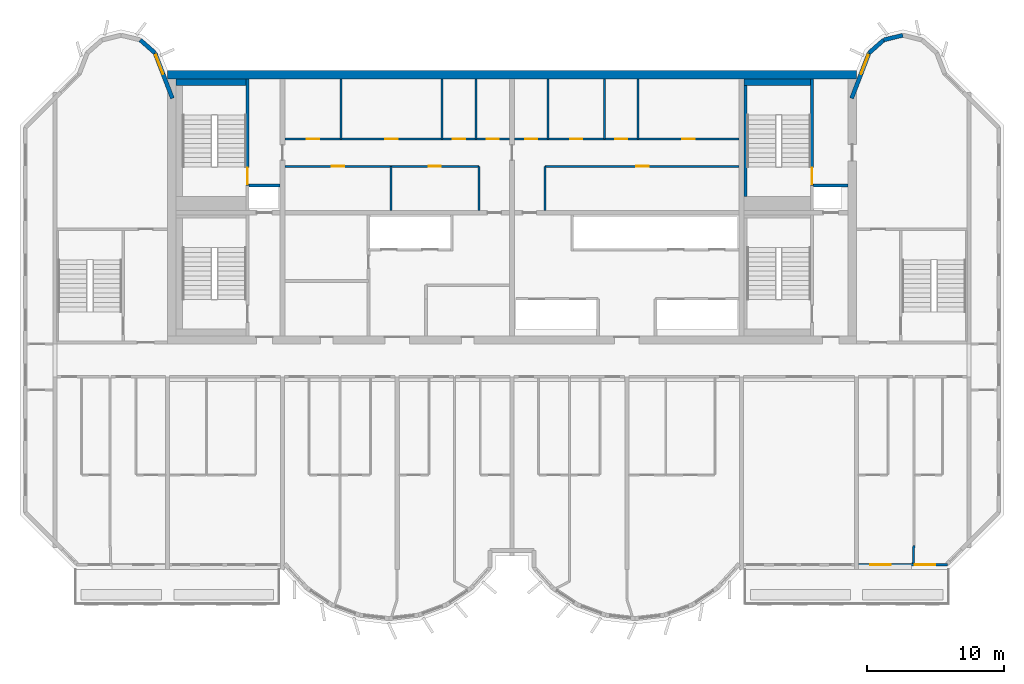
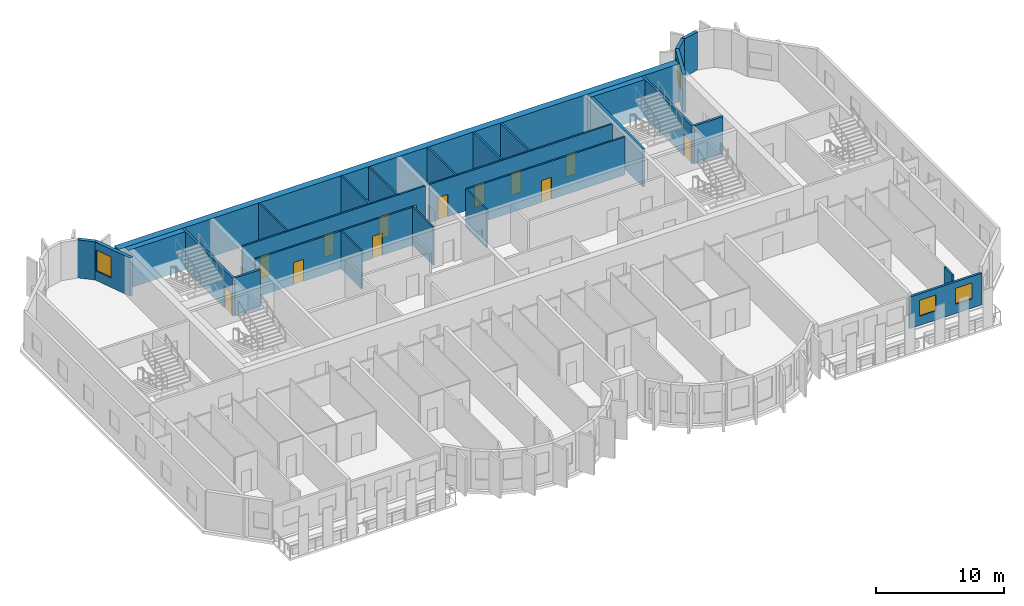
# One storey, part 7 of 11: 28 walls, 13 doors, 4 windows, 17 openings.
"""IFC4 building model written with IfcOpenShell, lengths in metres."""

from ifc_helpers import new_model, si_unit, direction, frame, frame_2d, origin, place, context, subcontext, project, spatial, rectangle, extrude, source, transform, mapped, material, layer, layer_set, type_object, element, fill, save


model = new_model("IFC4")

# Units and contexts
model_context = context("Model", 3, precision=1e-05, world=origin(), true_north=direction((0.0, 1.0)))
body_context = subcontext(model_context, "Body", "Model", "MODEL_VIEW")
ifc_project = project(units=[si_unit("LENGTHUNIT", "METRE"), si_unit("AREAUNIT", "SQUARE_METRE"), si_unit("VOLUMEUNIT", "CUBIC_METRE"), si_unit("PLANEANGLEUNIT", "RADIAN"), si_unit("MASSUNIT", "GRAM", prefix="KILO")], contexts=[model_context])

# Site, building, storey
site_placement = place(None, origin())
site = spatial("IfcSite", under=ifc_project, at=site_placement, CompositionType="ELEMENT")
building_placement = place(site_placement, origin())
building = spatial("IfcBuilding", under=site, at=building_placement, Name="Vanashikhar Sky Hotel", CompositionType="ELEMENT")
storey_placement = place(building_placement, frame((0.0, 0.0, 229.60009765625)))
storey = spatial("IfcBuildingStorey", under=building, at=storey_placement, Name="L55", CompositionType="ELEMENT", Elevation=229.60009765625)

# Wall
ifc_material_1 = material(Name="Concrete M60", Category="concrete")
ifc_layer_1 = layer(ifc_material_1, 0.60009765625)
ifc_layer_set_1 = layer_set([ifc_layer_1], Name="RC core shell wall 600 Concrete M60")
wall_type_1 = type_object("IfcWallType", Name="RC core shell wall 600 Concrete M60", PredefinedType="SHEAR", material=ifc_layer_set_1)
shared_shape_1 = source(origin(), body_context, "Body", "SweptSolid", [
    extrude(rectangle(XDim=50.400146484375, YDim=0.60009765625, at=frame_2d((25.2001953125, 0.0))), origin(), (0.0, 0.0, 1.0), 3.619873046875),
])
wall_1_placement = place(storey_placement, frame((25.199951171875, 41.699951171875, 0.0), z_axis=(0.0, 0.0, 1.0), x_axis=(1.0, 0.0, 0.0)))
element("IfcWall", 1, at=wall_1_placement, inside=storey, type_object=wall_type_1, Name="KW-L55-KN", PredefinedType="SHEAR", context=body_context, shape_type="MappedRepresentation", body=[
    mapped(shared_shape_1, transform((0.0, 0.0, 0.0), scale=1.0)),
])

# Wall, openings, windows
ifc_material_2 = material(Name="Concrete M50", Category="concrete")
ifc_layer_2 = layer(ifc_material_2, 0.199951171875)
ifc_layer_set_2 = layer_set([ifc_layer_2], Name="Front window wall 200")
wall_type_2 = type_object("IfcWallType", Name="Front window wall 200", PredefinedType="SOLIDWALL", material=ifc_layer_set_2)
shared_shape_2 = source(origin(), body_context, "Body", "SweptSolid", [
    extrude(rectangle(XDim=6.5048828125, YDim=0.199951171875, at=frame_2d((3.25244140625, 0.0))), origin(), (0.0, 0.0, 1.0), 3.02001953125),
])
wall_2_placement = place(storey_placement, frame((75.75, 5.85009765625, 0.0), z_axis=(0.0, 0.0, 1.0), x_axis=(1.0, 0.0, 0.0)))
wall_2 = element("IfcWall", 2, at=wall_2_placement, inside=storey, type_object=wall_type_2, Name="Front window wall", PredefinedType="SOLIDWALL", context=body_context, shape_type="MappedRepresentation", body=[
    mapped(shared_shape_2, transform((0.0, 0.0, 0.0), scale=1.0)),
])
shared_shape_3 = source(origin(), body_context, "Body", "SweptSolid", [
    extrude(rectangle(XDim=1.5, YDim=1.5, at=frame_2d((0.75, 0.75))), frame((0.0, 0.10986328125, 0.0), z_axis=(0.0, -1.0, 0.0), x_axis=(1.0, 0.0, 0.0)), (0.0, 0.0, 1.0), 0.219970703125),
])
opening_1_placement = place(wall_2_placement, frame((0.876220703125, 0.0, 0.89990234375)))
opening_1 = element("IfcOpeningElement", 3, at=opening_1_placement, cuts=wall_2, Name="Opening WN-1", PredefinedType="OPENING", context=body_context, shape_type="MappedRepresentation", body=[
    mapped(shared_shape_3, transform((0.0, 0.0, 0.0), scale=1.0)),
])
opening_2_placement = place(wall_2_placement, frame((4.128662109375, 0.0, 0.89990234375)))
opening_2 = element("IfcOpeningElement", 4, at=opening_2_placement, cuts=wall_2, Name="Opening WN-1", PredefinedType="OPENING", context=body_context, shape_type="MappedRepresentation", body=[
    mapped(shared_shape_3, transform((0.0, 0.0, 0.0), scale=1.0)),
])
ifc_material_3 = material(Name="Glass", Category="glass")
window_type_1 = type_object("IfcWindowType", Name="Window 1500 x 1500", PartitioningType="SINGLE_PANEL", PredefinedType="WINDOW", material=ifc_material_3)
shared_shape_4 = source(origin(), body_context, "Body", "SweptSolid", [
    extrude(rectangle(XDim=1.5, YDim=1.5, at=frame_2d((0.75, 0.75))), frame((0.0, 0.030029296875, 0.0), z_axis=(0.0, -1.0, 0.0), x_axis=(1.0, 0.0, 0.0)), (0.0, 0.0, 1.0), 0.06005859375),
])
window_1_placement = place(opening_1_placement, origin())
window_1 = element("IfcWindow", 5, at=window_1_placement, inside=storey, type_object=window_type_1, Name="Window WN-1", OverallHeight=1.5, OverallWidth=1.5, PartitioningType="SINGLE_PANEL", PredefinedType="WINDOW", context=body_context, shape_type="MappedRepresentation", body=[
    mapped(shared_shape_4, transform((0.0, 0.0, 0.0), scale=1.0)),
])
fill(opening_1, window_1)
window_2_placement = place(opening_2_placement, origin())
window_2 = element("IfcWindow", 6, at=window_2_placement, inside=storey, type_object=window_type_1, Name="Window WN-1", OverallHeight=1.5, OverallWidth=1.5, PartitioningType="SINGLE_PANEL", PredefinedType="WINDOW", context=body_context, shape_type="MappedRepresentation", body=[
    mapped(shared_shape_4, transform((0.0, 0.0, 0.0), scale=1.0)),
])
fill(opening_2, window_2)

# Wall, opening, window
ifc_layer_3 = layer(ifc_material_2, 0.300048828125)
ifc_layer_set_3 = layer_set([ifc_layer_3], Name="Lobe wall 300")
wall_type_3 = type_object("IfcWallType", Name="Lobe wall 300", PredefinedType="SOLIDWALL", material=ifc_layer_set_3)
shared_shape_5 = source(origin(), body_context, "Body", "SweptSolid", [
    extrude(rectangle(XDim=3.55908203125, YDim=0.300048828125, at=frame_2d((1.779541015625, 0.0))), origin(), (0.0, 0.0, 1.0), 3.619873046875),
])
wall_3_placement = place(storey_placement, frame((76.5234375, 43.2919921875, 0.0), z_axis=(0.0, 0.0, 1.0), x_axis=(-0.35779745313, -0.933799219604, 0.0)))
wall_3 = element("IfcWall", 7, at=wall_3_placement, inside=storey, type_object=wall_type_3, Name="Lobe wall", PredefinedType="SOLIDWALL", context=body_context, shape_type="MappedRepresentation", body=[
    mapped(shared_shape_5, transform((0.0, 0.0, 0.0), scale=1.0)),
])
shared_shape_6 = source(origin(), body_context, "Body", "SweptSolid", [
    extrude(rectangle(XDim=1.5, YDim=2.0, at=frame_2d((0.75, 1.0))), frame((0.0, 0.16015625, 0.0), z_axis=(0.0, -1.0, 0.0), x_axis=(1.0, 0.0, 0.0)), (0.0, 0.0, 1.0), 0.320068359375),
])
opening_3_placement = place(wall_3_placement, frame((0.156005859375, 0.0, 0.89990234375)))
opening_3 = element("IfcOpeningElement", 8, at=opening_3_placement, cuts=wall_3, Name="Opening WN-2", PredefinedType="OPENING", context=body_context, shape_type="MappedRepresentation", body=[
    mapped(shared_shape_6, transform((0.0, 0.0, 0.0), scale=1.0)),
])
window_type_2 = type_object("IfcWindowType", Name="Lobe window 1500 x 2000", PartitioningType="SINGLE_PANEL", PredefinedType="WINDOW", material=ifc_material_3)
shared_shape_7 = source(origin(), body_context, "Body", "SweptSolid", [
    extrude(rectangle(XDim=1.5, YDim=2.0, at=frame_2d((0.75, 1.0))), frame((0.0, 0.030029296875, 0.0), z_axis=(0.0, -1.0, 0.0), x_axis=(1.0, 0.0, 0.0)), (0.0, 0.0, 1.0), 0.06005859375),
])
window_3_placement = place(opening_3_placement, origin())
window_3 = element("IfcWindow", 9, at=window_3_placement, inside=storey, type_object=window_type_2, Name="Window WN-2", OverallHeight=2.0, OverallWidth=1.5, PartitioningType="SINGLE_PANEL", PredefinedType="WINDOW", context=body_context, shape_type="MappedRepresentation", body=[
    mapped(shared_shape_7, transform((0.0, 0.0, 0.0), scale=1.0)),
])
fill(opening_3, window_3)

wall_4_placement = place(storey_placement, frame((25.550048828125, 39.968505859375, 0.0), z_axis=(0.0, 0.0, 1.0), x_axis=(-0.35779745313, 0.933799219604, 0.0)))
wall_4 = element("IfcWall", 10, at=wall_4_placement, inside=storey, type_object=wall_type_3, Name="Lobe wall", PredefinedType="SOLIDWALL", context=body_context, shape_type="MappedRepresentation", body=[
    mapped(shared_shape_5, transform((0.0, 0.0, 0.0), scale=1.0)),
])
opening_4_placement = place(wall_4_placement, frame((1.9033203125, 0.0, 0.89990234375)))
opening_4 = element("IfcOpeningElement", 11, at=opening_4_placement, cuts=wall_4, Name="Opening WN-2", PredefinedType="OPENING", context=body_context, shape_type="MappedRepresentation", body=[
    mapped(shared_shape_6, transform((0.0, 0.0, 0.0), scale=1.0)),
])
window_4_placement = place(opening_4_placement, origin())
window_4 = element("IfcWindow", 12, at=window_4_placement, inside=storey, type_object=window_type_2, Name="Window WN-2", OverallHeight=2.0, OverallWidth=1.5, PartitioningType="SINGLE_PANEL", PredefinedType="WINDOW", context=body_context, shape_type="MappedRepresentation", body=[
    mapped(shared_shape_7, transform((0.0, 0.0, 0.0), scale=1.0)),
])
fill(opening_4, window_4)

# Walls
shared_shape_8 = source(origin(), body_context, "Body", "SweptSolid", [
    extrude(rectangle(XDim=1.440185546875, YDim=0.300048828125, at=frame_2d((0.72021484375, 0.0))), origin(), (0.0, 0.0, 1.0), 3.619873046875),
])
wall_5_placement = place(storey_placement, frame((24.276611328125, 43.2919921875, 0.0), z_axis=(0.0, 0.0, 1.0), x_axis=(-0.749649827867, 0.661834673902, 0.0)))
element("IfcWall", 13, at=wall_5_placement, inside=storey, type_object=wall_type_3, Name="Lobe wall", PredefinedType="SOLIDWALL", context=body_context, shape_type="MappedRepresentation", body=[
    mapped(shared_shape_8, transform((0.0, 0.0, 0.0), scale=1.0)),
])
shared_shape_9 = source(origin(), body_context, "Body", "SweptSolid", [
    extrude(rectangle(XDim=1.438720703125, YDim=0.300048828125, at=frame_2d((0.71923828125, 0.0))), origin(), (0.0, 0.0, 1.0), 3.619873046875),
])
wall_6_placement = place(storey_placement, frame((79.0, 44.588134765625, 0.0), z_axis=(0.0, 0.0, 1.0), x_axis=(-0.971161932466, -0.238420848351, 0.0)))
element("IfcWall", 14, at=wall_6_placement, inside=storey, type_object=wall_type_3, Name="Lobe wall", PredefinedType="SOLIDWALL", context=body_context, shape_type="MappedRepresentation", body=[
    mapped(shared_shape_9, transform((0.0, 0.0, 0.0), scale=1.0)),
])
shared_shape_10 = source(origin(), body_context, "Body", "SweptSolid", [
    extrude(rectangle(XDim=1.43994140625, YDim=0.300048828125, at=frame_2d((0.719970703125, 0.0))), origin(), (0.0, 0.0, 1.0), 3.619873046875),
])
wall_7_placement = place(storey_placement, frame((77.602783203125, 44.2451171875, 0.0), z_axis=(0.0, 0.0, 1.0), x_axis=(-0.74957555648, -0.661918790432, 0.0)))
element("IfcWall", 15, at=wall_7_placement, inside=storey, type_object=wall_type_3, Name="Lobe wall", PredefinedType="SOLIDWALL", context=body_context, shape_type="MappedRepresentation", body=[
    mapped(shared_shape_10, transform((0.0, 0.0, 0.0), scale=1.0)),
])
ifc_material_4 = material(Name="Gypsum board partition")
ifc_layer_4 = layer(ifc_material_4, 0.14990234375)
ifc_layer_set_4 = layer_set([ifc_layer_4], Name="Service partition 150")
wall_type_4 = type_object("IfcWallType", Name="Service partition 150", PredefinedType="PARTITIONING", material=ifc_layer_set_4)
shared_shape_11 = source(origin(), body_context, "Body", "SweptSolid", [
    extrude(rectangle(XDim=3.22509765625, YDim=0.14990234375, at=frame_2d((1.612548828125, 0.0))), origin(), (0.0, 0.0, 1.0), 3.619873046875),
])
for number, where, z_axis, x_axis, name in (
    (16, (48.0, 31.77490234375, 0.0), (0.0, 0.0, 1.0), (0.0, 1.0, 0.0), "Service partition 150"),
    (17, (41.556884765625, 31.77490234375, 0.0), (0.0, 0.0, 1.0), (0.0, 1.0, 0.0), "Service partition 150"),
    (18, (52.800048828125, 31.77490234375, 0.0), (0.0, 0.0, 1.0), (0.0, 1.0, 0.0), "Service partition 150"),
):
    element("IfcWall", number, at=place(storey_placement, frame(where, z_axis=z_axis, x_axis=x_axis)), inside=storey, type_object=wall_type_4, Name=name, PredefinedType="PARTITIONING", context=body_context, shape_type="MappedRepresentation", body=[
        mapped(shared_shape_11, transform((0.0, 0.0, 0.0), scale=1.0)),
    ])

# Wall, openings, doors
shared_shape_12 = source(origin(), body_context, "Body", "SweptSolid", [
    extrude(rectangle(XDim=14.22509765625, YDim=0.14990234375, at=frame_2d((7.112548828125, 0.0))), origin(), (0.0, 0.0, 1.0), 3.619873046875),
])
wall_8_placement = place(storey_placement, frame((33.77490234375, 35.0, 0.0), z_axis=(0.0, 0.0, 1.0), x_axis=(1.0, 0.0, 0.0)))
wall_8 = element("IfcWall", 19, at=wall_8_placement, inside=storey, type_object=wall_type_4, Name="Service partition 150", PredefinedType="PARTITIONING", context=body_context, shape_type="MappedRepresentation", body=[
    mapped(shared_shape_12, transform((0.0, 0.0, 0.0), scale=1.0)),
])
shared_shape_13 = source(origin(), body_context, "Body", "SweptSolid", [
    extrude(rectangle(XDim=0.89990234375, YDim=2.10009765625, at=frame_2d((0.449951171875, 1.050048828125))), frame((0.0, 0.0849609375, 0.0), z_axis=(0.0, -1.0, 0.0), x_axis=(1.0, 0.0, 0.0)), (0.0, 0.0, 1.0), 0.169921875),
])
opening_5_placement = place(wall_8_placement, frame((3.44091796875, 0.0, 0.0)))
opening_5 = element("IfcOpeningElement", 20, at=opening_5_placement, cuts=wall_8, Name="Opening DC-4-A", PredefinedType="OPENING", context=body_context, shape_type="MappedRepresentation", body=[
    mapped(shared_shape_13, transform((0.0, 0.0, 0.0), scale=1.0)),
])
opening_6_placement = place(wall_8_placement, frame((10.51611328125, 0.0, 0.0)))
opening_6 = element("IfcOpeningElement", 21, at=opening_6_placement, cuts=wall_8, Name="Opening DC-4-A", PredefinedType="OPENING", context=body_context, shape_type="MappedRepresentation", body=[
    mapped(shared_shape_13, transform((0.0, 0.0, 0.0), scale=1.0)),
])
ifc_material_5 = material(Name="Steel", Category="steel")
door_type_1 = type_object("IfcDoorType", Name="Service door 900 FD60", OperationType="NOTDEFINED", PredefinedType="DOOR", material=ifc_material_5)
shared_shape_14 = source(origin(), body_context, "Body", "SweptSolid", [
    extrude(rectangle(XDim=0.89990234375, YDim=2.10009765625, at=frame_2d((0.449951171875, 1.050048828125))), frame((0.0, 0.02490234375, 0.0), z_axis=(0.0, -1.0, 0.0), x_axis=(1.0, 0.0, 0.0)), (0.0, 0.0, 1.0), 0.050048828125),
])
door_1_placement = place(opening_5_placement, origin())
door_1 = element("IfcDoor", 22, at=door_1_placement, inside=storey, type_object=door_type_1, Name="Service door 900 FD60", OperationType="SINGLE_SWING_LEFT", OverallHeight=2.10009765625, OverallWidth=0.89990234375, PredefinedType="DOOR", context=body_context, shape_type="MappedRepresentation", body=[
    mapped(shared_shape_14, transform((0.0, 0.0, 0.0), scale=1.0)),
])
fill(opening_5, door_1)
door_2_placement = place(opening_6_placement, origin())
door_2 = element("IfcDoor", 23, at=door_2_placement, inside=storey, type_object=door_type_1, Name="Service door 900 FD60", OperationType="SINGLE_SWING_RIGHT", OverallHeight=2.10009765625, OverallWidth=0.89990234375, PredefinedType="DOOR", context=body_context, shape_type="MappedRepresentation", body=[
    mapped(shared_shape_14, transform((0.0, 0.0, 0.0), scale=1.0)),
])
fill(opening_6, door_2)

shared_shape_15 = source(origin(), body_context, "Body", "SweptSolid", [
    extrude(rectangle(XDim=16.4501953125, YDim=0.14990234375, at=frame_2d((8.22509765625, 0.0))), origin(), (0.0, 0.0, 1.0), 3.619873046875),
])
wall_9_placement = place(storey_placement, frame((33.77490234375, 37.0, 0.0), z_axis=(0.0, 0.0, 1.0), x_axis=(1.0, 0.0, 0.0)))
wall_9 = element("IfcWall", 24, at=wall_9_placement, inside=storey, type_object=wall_type_4, Name="Service partition 150", PredefinedType="PARTITIONING", context=body_context, shape_type="MappedRepresentation", body=[
    mapped(shared_shape_15, transform((0.0, 0.0, 0.0), scale=1.0)),
])
opening_7_placement = place(wall_9_placement, frame((1.60595703125, 0.0, 0.0)))
opening_7 = element("IfcOpeningElement", 25, at=opening_7_placement, cuts=wall_9, Name="Opening DC-4-A", PredefinedType="OPENING", context=body_context, shape_type="MappedRepresentation", body=[
    mapped(shared_shape_13, transform((0.0, 0.0, 0.0), scale=1.0)),
])
opening_8_placement = place(wall_9_placement, frame((7.364013671875, 0.0, 0.0)))
opening_8 = element("IfcOpeningElement", 26, at=opening_8_placement, cuts=wall_9, Name="Opening DC-4-A", PredefinedType="OPENING", context=body_context, shape_type="MappedRepresentation", body=[
    mapped(shared_shape_13, transform((0.0, 0.0, 0.0), scale=1.0)),
])
opening_9_placement = place(wall_9_placement, frame((12.299072265625, 0.0, 0.0)))
opening_9 = element("IfcOpeningElement", 27, at=opening_9_placement, cuts=wall_9, Name="Opening DC-4-A", PredefinedType="OPENING", context=body_context, shape_type="MappedRepresentation", body=[
    mapped(shared_shape_13, transform((0.0, 0.0, 0.0), scale=1.0)),
])
opening_10_placement = place(wall_9_placement, frame((14.76611328125, 0.0, 0.0)))
opening_10 = element("IfcOpeningElement", 28, at=opening_10_placement, cuts=wall_9, Name="Opening DC-4-A", PredefinedType="OPENING", context=body_context, shape_type="MappedRepresentation", body=[
    mapped(shared_shape_13, transform((0.0, 0.0, 0.0), scale=1.0)),
])
door_3_placement = place(opening_7_placement, origin())
door_3 = element("IfcDoor", 29, at=door_3_placement, inside=storey, type_object=door_type_1, Name="Service door 900 FD60", OperationType="SINGLE_SWING_RIGHT", OverallHeight=2.10009765625, OverallWidth=0.89990234375, PredefinedType="DOOR", context=body_context, shape_type="MappedRepresentation", body=[
    mapped(shared_shape_14, transform((0.0, 0.0, 0.0), scale=1.0)),
])
fill(opening_7, door_3)
door_4_placement = place(opening_8_placement, origin())
door_4 = element("IfcDoor", 30, at=door_4_placement, inside=storey, type_object=door_type_1, Name="Service door 900 FD60", OperationType="SINGLE_SWING_LEFT", OverallHeight=2.10009765625, OverallWidth=0.89990234375, PredefinedType="DOOR", context=body_context, shape_type="MappedRepresentation", body=[
    mapped(shared_shape_14, transform((0.0, 0.0, 0.0), scale=1.0)),
])
fill(opening_8, door_4)
door_5_placement = place(opening_9_placement, origin())
door_5 = element("IfcDoor", 31, at=door_5_placement, inside=storey, type_object=door_type_1, Name="Service door 900 FD60", OperationType="SINGLE_SWING_LEFT", OverallHeight=2.10009765625, OverallWidth=0.89990234375, PredefinedType="DOOR", context=body_context, shape_type="MappedRepresentation", body=[
    mapped(shared_shape_14, transform((0.0, 0.0, 0.0), scale=1.0)),
])
fill(opening_9, door_5)
door_6_placement = place(opening_10_placement, origin())
door_6 = element("IfcDoor", 32, at=door_6_placement, inside=storey, type_object=door_type_1, Name="Service door 900 FD60", OperationType="SINGLE_SWING_LEFT", OverallHeight=2.10009765625, OverallWidth=0.89990234375, PredefinedType="DOOR", context=body_context, shape_type="MappedRepresentation", body=[
    mapped(shared_shape_14, transform((0.0, 0.0, 0.0), scale=1.0)),
])
fill(opening_10, door_6)

# Walls
shared_shape_16 = source(origin(), body_context, "Body", "SweptSolid", [
    extrude(rectangle(XDim=4.39990234375, YDim=0.14990234375, at=frame_2d((2.199951171875, 0.0))), origin(), (0.0, 0.0, 1.0), 3.619873046875),
])
for number, where, z_axis, x_axis, name in (
    (33, (37.887939453125, 37.0, 0.0), (0.0, 0.0, 1.0), (0.0, 1.0, 0.0), "Service partition 150"),
    (34, (45.2900390625, 37.0, 0.0), (0.0, 0.0, 1.0), (0.0, 1.0, 0.0), "Service partition 150"),
    (35, (47.758056640625, 37.0, 0.0), (0.0, 0.0, 1.0), (0.0, 1.0, 0.0), "Service partition 150"),
    (36, (59.6220703125, 37.0, 0.0), (0.0, 0.0, 1.0), (0.0, 1.0, 0.0), "Service partition 150"),
    (37, (57.155029296875, 37.0, 0.0), (0.0, 0.0, 1.0), (0.0, 1.0, 0.0), "Service partition 150"),
    (38, (53.0419921875, 37.0, 0.0), (0.0, 0.0, 1.0), (0.0, 1.0, 0.0), "Service partition 150"),
):
    element("IfcWall", number, at=place(storey_placement, frame(where, z_axis=z_axis, x_axis=x_axis)), inside=storey, type_object=wall_type_4, Name=name, PredefinedType="PARTITIONING", context=body_context, shape_type="MappedRepresentation", body=[
        mapped(shared_shape_16, transform((0.0, 0.0, 0.0), scale=1.0)),
    ])

# Wall, opening, door
shared_shape_17 = source(origin(), body_context, "Body", "SweptSolid", [
    extrude(rectangle(XDim=14.224853515625, YDim=0.14990234375, at=frame_2d((7.1123046875, 0.0))), origin(), (0.0, 0.0, 1.0), 3.619873046875),
])
wall_10_placement = place(storey_placement, frame((67.02490234375, 35.0, 0.0), z_axis=(0.0, 0.0, 1.0), x_axis=(-1.0, 0.0, 0.0)))
wall_10 = element("IfcWall", 39, at=wall_10_placement, inside=storey, type_object=wall_type_4, Name="Service partition 150", PredefinedType="PARTITIONING", context=body_context, shape_type="MappedRepresentation", body=[
    mapped(shared_shape_17, transform((0.0, 0.0, 0.0), scale=1.0)),
])
opening_11_placement = place(wall_10_placement, frame((6.625, 0.0, 0.0)))
opening_11 = element("IfcOpeningElement", 40, at=opening_11_placement, cuts=wall_10, Name="Opening DC-4-A", PredefinedType="OPENING", context=body_context, shape_type="MappedRepresentation", body=[
    mapped(shared_shape_13, transform((0.0, 0.0, 0.0), scale=1.0)),
])
door_7_placement = place(opening_11_placement, origin())
door_7 = element("IfcDoor", 41, at=door_7_placement, inside=storey, type_object=door_type_1, Name="Service door 900 FD60", OperationType="SINGLE_SWING_RIGHT", OverallHeight=2.10009765625, OverallWidth=0.89990234375, PredefinedType="DOOR", context=body_context, shape_type="MappedRepresentation", body=[
    mapped(shared_shape_14, transform((0.0, 0.0, 0.0), scale=1.0)),
])
fill(opening_11, door_7)

# Wall, openings, doors
shared_shape_18 = source(origin(), body_context, "Body", "SweptSolid", [
    extrude(rectangle(XDim=16.449951171875, YDim=0.14990234375, at=frame_2d((8.22509765625, 0.0))), origin(), (0.0, 0.0, 1.0), 3.619873046875),
])
wall_11_placement = place(storey_placement, frame((67.02490234375, 37.0, 0.0), z_axis=(0.0, 0.0, 1.0), x_axis=(-1.0, 0.0, 0.0)))
wall_11 = element("IfcWall", 42, at=wall_11_placement, inside=storey, type_object=wall_type_4, Name="Service partition 150", PredefinedType="PARTITIONING", context=body_context, shape_type="MappedRepresentation", body=[
    mapped(shared_shape_18, transform((0.0, 0.0, 0.0), scale=1.0)),
])
opening_12_placement = place(wall_11_placement, frame((3.2509765625, 0.0, 0.0)))
opening_12 = element("IfcOpeningElement", 43, at=opening_12_placement, cuts=wall_11, Name="Opening DC-4-A", PredefinedType="OPENING", context=body_context, shape_type="MappedRepresentation", body=[
    mapped(shared_shape_13, transform((0.0, 0.0, 0.0), scale=1.0)),
])
opening_13_placement = place(wall_11_placement, frame((8.18603515625, 0.0, 0.0)))
opening_13 = element("IfcOpeningElement", 44, at=opening_13_placement, cuts=wall_11, Name="Opening DC-4-A", PredefinedType="OPENING", context=body_context, shape_type="MappedRepresentation", body=[
    mapped(shared_shape_13, transform((0.0, 0.0, 0.0), scale=1.0)),
])
opening_14_placement = place(wall_11_placement, frame((11.47607421875, 0.0, 0.0)))
opening_14 = element("IfcOpeningElement", 45, at=opening_14_placement, cuts=wall_11, Name="Opening DC-4-A", PredefinedType="OPENING", context=body_context, shape_type="MappedRepresentation", body=[
    mapped(shared_shape_13, transform((0.0, 0.0, 0.0), scale=1.0)),
])
opening_15_placement = place(wall_11_placement, frame((14.76611328125, 0.0, 0.0)))
opening_15 = element("IfcOpeningElement", 46, at=opening_15_placement, cuts=wall_11, Name="Opening DC-4-A", PredefinedType="OPENING", context=body_context, shape_type="MappedRepresentation", body=[
    mapped(shared_shape_13, transform((0.0, 0.0, 0.0), scale=1.0)),
])
door_8_placement = place(opening_12_placement, origin())
door_8 = element("IfcDoor", 47, at=door_8_placement, inside=storey, type_object=door_type_1, Name="Service door 900 FD60", OperationType="SINGLE_SWING_RIGHT", OverallHeight=2.10009765625, OverallWidth=0.89990234375, PredefinedType="DOOR", context=body_context, shape_type="MappedRepresentation", body=[
    mapped(shared_shape_14, transform((0.0, 0.0, 0.0), scale=1.0)),
])
fill(opening_12, door_8)
door_9_placement = place(opening_13_placement, origin())
door_9 = element("IfcDoor", 48, at=door_9_placement, inside=storey, type_object=door_type_1, Name="Service door 900 FD60", OperationType="SINGLE_SWING_RIGHT", OverallHeight=2.10009765625, OverallWidth=0.89990234375, PredefinedType="DOOR", context=body_context, shape_type="MappedRepresentation", body=[
    mapped(shared_shape_14, transform((0.0, 0.0, 0.0), scale=1.0)),
])
fill(opening_13, door_9)
door_10_placement = place(opening_14_placement, origin())
door_10 = element("IfcDoor", 49, at=door_10_placement, inside=storey, type_object=door_type_1, Name="Service door 900 FD60", OperationType="SINGLE_SWING_RIGHT", OverallHeight=2.10009765625, OverallWidth=0.89990234375, PredefinedType="DOOR", context=body_context, shape_type="MappedRepresentation", body=[
    mapped(shared_shape_14, transform((0.0, 0.0, 0.0), scale=1.0)),
])
fill(opening_14, door_10)
door_11_placement = place(opening_15_placement, origin())
door_11 = element("IfcDoor", 50, at=door_11_placement, inside=storey, type_object=door_type_1, Name="Service door 900 FD60", OperationType="SINGLE_SWING_RIGHT", OverallHeight=2.10009765625, OverallWidth=0.89990234375, PredefinedType="DOOR", context=body_context, shape_type="MappedRepresentation", body=[
    mapped(shared_shape_14, transform((0.0, 0.0, 0.0), scale=1.0)),
])
fill(opening_15, door_11)

# Wall
ifc_material_6 = material(Name="Concrete M40", Category="concrete")
ifc_layer_5 = layer(ifc_material_6, 0.199951171875)
ifc_layer_set_5 = layer_set([ifc_layer_5], Name="Shaft wall 200")
wall_type_5 = type_object("IfcWallType", Name="Shaft wall 200", PredefinedType="SOLIDWALL", material=ifc_layer_set_5)
shared_shape_19 = source(origin(), body_context, "Body", "SweptSolid", [
    extrude(rectangle(XDim=2.275146484375, YDim=0.199951171875, at=frame_2d((1.1376953125, 0.0))), origin(), (0.0, 0.0, 1.0), 3.619873046875),
])
wall_12_placement = place(storey_placement, frame((31.14990234375, 33.60009765625, 0.0), z_axis=(0.0, 0.0, 1.0), x_axis=(1.0, 0.0, 0.0)))
element("IfcWall", 51, at=wall_12_placement, inside=storey, type_object=wall_type_5, Name="Shaft wall 200", PredefinedType="SOLIDWALL", context=body_context, shape_type="MappedRepresentation", body=[
    mapped(shared_shape_19, transform((0.0, 0.0, 0.0), scale=1.0)),
])

# Wall, opening, door
ifc_layer_6 = layer(ifc_material_2, 0.199951171875)
ifc_layer_set_6 = layer_set([ifc_layer_6], Name="Stair wall 200")
wall_type_6 = type_object("IfcWallType", Name="Stair wall 200", PredefinedType="SOLIDWALL", material=ifc_layer_set_6)
shared_shape_20 = source(origin(), body_context, "Body", "SweptSolid", [
    extrude(rectangle(XDim=7.7998046875, YDim=0.199951171875, at=frame_2d((3.89990234375, 0.0))), origin(), (0.0, 0.0, 1.0), 3.619873046875),
])
wall_13_placement = place(storey_placement, frame((31.050048828125, 33.60009765625, 0.0), z_axis=(0.0, 0.0, 1.0), x_axis=(0.0, 1.0, 0.0)))
wall_13 = element("IfcWall", 52, at=wall_13_placement, inside=storey, type_object=wall_type_6, Name="Stair wall 200", PredefinedType="SOLIDWALL", context=body_context, shape_type="MappedRepresentation", body=[
    mapped(shared_shape_20, transform((0.0, 0.0, 0.0), scale=1.0)),
])
shared_shape_21 = source(origin(), body_context, "Body", "SweptSolid", [
    extrude(rectangle(XDim=1.199951171875, YDim=2.10009765625, at=frame_2d((0.60009765625, 1.050048828125))), frame((0.0, 0.10986328125, 0.0), z_axis=(0.0, -1.0, 0.0), x_axis=(1.0, 0.0, 0.0)), (0.0, 0.0, 1.0), 0.219970703125),
])
opening_16_placement = place(wall_13_placement, frame((0.10009765625, 0.0, 0.0)))
opening_16 = element("IfcOpeningElement", 53, at=opening_16_placement, cuts=wall_13, Name="Opening DC-1", PredefinedType="OPENING", context=body_context, shape_type="MappedRepresentation", body=[
    mapped(shared_shape_21, transform((0.0, 0.0, 0.0), scale=1.0)),
])
door_type_2 = type_object("IfcDoorType", Name="Stair door 1200 FD120", OperationType="NOTDEFINED", PredefinedType="DOOR", material=ifc_material_5)
shared_shape_22 = source(origin(), body_context, "Body", "SweptSolid", [
    extrude(rectangle(XDim=1.199951171875, YDim=2.10009765625, at=frame_2d((0.60009765625, 1.050048828125))), frame((0.0, 0.02490234375, 0.0), z_axis=(0.0, -1.0, 0.0), x_axis=(1.0, 0.0, 0.0)), (0.0, 0.0, 1.0), 0.050048828125),
])
door_12_placement = place(opening_16_placement, origin())
door_12 = element("IfcDoor", 54, at=door_12_placement, inside=storey, type_object=door_type_2, Name="Stair door 1200 FD120", OperationType="SINGLE_SWING_LEFT", OverallHeight=2.10009765625, OverallWidth=1.199951171875, PredefinedType="DOOR", context=body_context, shape_type="MappedRepresentation", body=[
    mapped(shared_shape_22, transform((0.0, 0.0, 0.0), scale=1.0)),
])
fill(opening_16, door_12)

wall_14_placement = place(storey_placement, frame((72.35009765625, 33.60009765625, 0.0), z_axis=(0.0, 0.0, 1.0), x_axis=(0.0, 1.0, 0.0)))
wall_14 = element("IfcWall", 55, at=wall_14_placement, inside=storey, type_object=wall_type_6, Name="Stair wall 200", PredefinedType="SOLIDWALL", context=body_context, shape_type="MappedRepresentation", body=[
    mapped(shared_shape_20, transform((0.0, 0.0, 0.0), scale=1.0)),
])
opening_17_placement = place(wall_14_placement, frame((0.10009765625, 0.0, 0.0)))
opening_17 = element("IfcOpeningElement", 56, at=opening_17_placement, cuts=wall_14, Name="Opening DC-1", PredefinedType="OPENING", context=body_context, shape_type="MappedRepresentation", body=[
    mapped(shared_shape_21, transform((0.0, 0.0, 0.0), scale=1.0)),
])
door_13_placement = place(opening_17_placement, origin())
door_13 = element("IfcDoor", 57, at=door_13_placement, inside=storey, type_object=door_type_2, Name="Stair door 1200 FD120", OperationType="SINGLE_SWING_LEFT", OverallHeight=2.10009765625, OverallWidth=1.199951171875, PredefinedType="DOOR", context=body_context, shape_type="MappedRepresentation", body=[
    mapped(shared_shape_22, transform((0.0, 0.0, 0.0), scale=1.0)),
])
fill(opening_17, door_13)

# Walls
shared_shape_23 = source(origin(), body_context, "Body", "SweptSolid", [
    extrude(rectangle(XDim=2.550048828125, YDim=0.199951171875, at=frame_2d((1.27490234375, 0.0))), origin(), (0.0, 0.0, 1.0), 3.619873046875),
])
wall_15_placement = place(storey_placement, frame((72.449951171875, 33.60009765625, 0.0), z_axis=(0.0, 0.0, 1.0), x_axis=(1.0, 0.0, 0.0)))
element("IfcWall", 58, at=wall_15_placement, inside=storey, type_object=wall_type_5, Name="Shaft wall 200", PredefinedType="SOLIDWALL", context=body_context, shape_type="MappedRepresentation", body=[
    mapped(shared_shape_23, transform((0.0, 0.0, 0.0), scale=1.0)),
])
ifc_layer_7 = layer(ifc_material_2, 0.5)
ifc_layer_set_7 = layer_set([ifc_layer_7], Name="Stair infill wall 500")
wall_type_7 = type_object("IfcWallType", Name="Stair infill wall 500", PredefinedType="SOLIDWALL", material=ifc_layer_set_7)
shared_shape_24 = source(origin(), body_context, "Body", "SweptSolid", [
    extrude(rectangle(XDim=5.14990234375, YDim=0.5, at=frame_2d((2.574951171875, 0.0))), origin(), (0.0, 0.0, 1.0), 3.619873046875),
])
wall_16_placement = place(storey_placement, frame((25.800048828125, 41.14990234375, 0.0), z_axis=(0.0, 0.0, 1.0), x_axis=(1.0, 0.0, 0.0)))
element("IfcWall", 59, at=wall_16_placement, inside=storey, type_object=wall_type_7, Name="Stair infill wall 500", PredefinedType="SOLIDWALL", context=body_context, shape_type="MappedRepresentation", body=[
    mapped(shared_shape_24, transform((0.0, 0.0, 0.0), scale=1.0)),
])
shared_shape_25 = source(origin(), body_context, "Body", "SweptSolid", [
    extrude(rectangle(XDim=4.875, YDim=0.5, at=frame_2d((2.4375, 0.0))), origin(), (0.0, 0.0, 1.0), 3.619873046875),
])
wall_17_placement = place(storey_placement, frame((67.375, 41.14990234375, 0.0), z_axis=(0.0, 0.0, 1.0), x_axis=(1.0, 0.0, 0.0)))
element("IfcWall", 60, at=wall_17_placement, inside=storey, type_object=wall_type_7, Name="Stair infill wall 500", PredefinedType="SOLIDWALL", context=body_context, shape_type="MappedRepresentation", body=[
    mapped(shared_shape_25, transform((0.0, 0.0, 0.0), scale=1.0)),
])
ifc_layer_8 = layer(ifc_material_2, 0.22509765625)
ifc_layer_set_8 = layer_set([ifc_layer_8], Name="Stair infill wall 225")
wall_type_8 = type_object("IfcWallType", Name="Stair infill wall 225", PredefinedType="SOLIDWALL", material=ifc_layer_set_8)
shared_shape_26 = source(origin(), body_context, "Body", "SweptSolid", [
    extrude(rectangle(XDim=8.099853515625, YDim=0.22509765625, at=frame_2d((4.0498046875, 0.0))), origin(), (0.0, 0.0, 1.0), 3.619873046875),
])
wall_18_placement = place(storey_placement, frame((67.487060546875, 32.800048828125, 0.0), z_axis=(0.0, 0.0, 1.0), x_axis=(0.0, 1.0, 0.0)))
element("IfcWall", 61, at=wall_18_placement, inside=storey, type_object=wall_type_8, Name="Stair infill wall 225", PredefinedType="SOLIDWALL", context=body_context, shape_type="MappedRepresentation", body=[
    mapped(shared_shape_26, transform((0.0, 0.0, 0.0), scale=1.0)),
])
ifc_material_7 = material(Name="Gypsum plasterboard partition")
ifc_layer_9 = layer(ifc_material_7, 0.14990234375)
ifc_layer_set_9 = layer_set([ifc_layer_9], Name="Corridor and demising partition 150")
wall_type_9 = type_object("IfcWallType", Name="Corridor and demising partition 150", PredefinedType="PARTITIONING", material=ifc_layer_set_9)
shared_shape_27 = source(origin(), body_context, "Body", "SweptSolid", [
    extrude(rectangle(XDim=1.30078125, YDim=0.14990234375, at=frame_2d((0.650390625, 0.0))), origin(), (0.0, 0.0, 1.0), 3.619873046875),
])
wall_19_placement = place(storey_placement, frame((79.759033203125, 5.949951171875, 0.0), z_axis=(0.0, 0.0, 1.0), x_axis=(0.031533606063, 0.999502692187, 0.0)))
element("IfcWall", 62, at=wall_19_placement, inside=storey, type_object=wall_type_9, Name="W-L55-PW046B0", PredefinedType="PARTITIONING", context=body_context, shape_type="MappedRepresentation", body=[
    mapped(shared_shape_27, transform((0.0, 0.0, 0.0), scale=1.0)),
])

save(model, "model.ifc")
